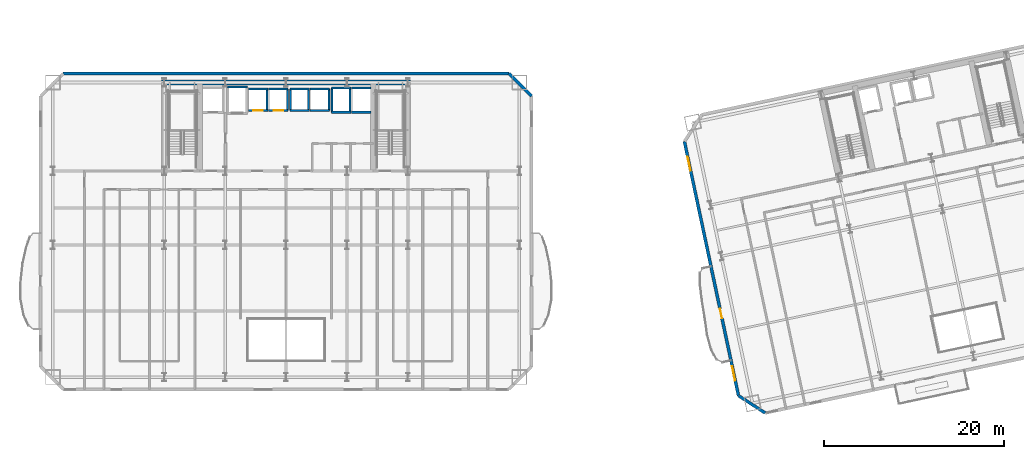
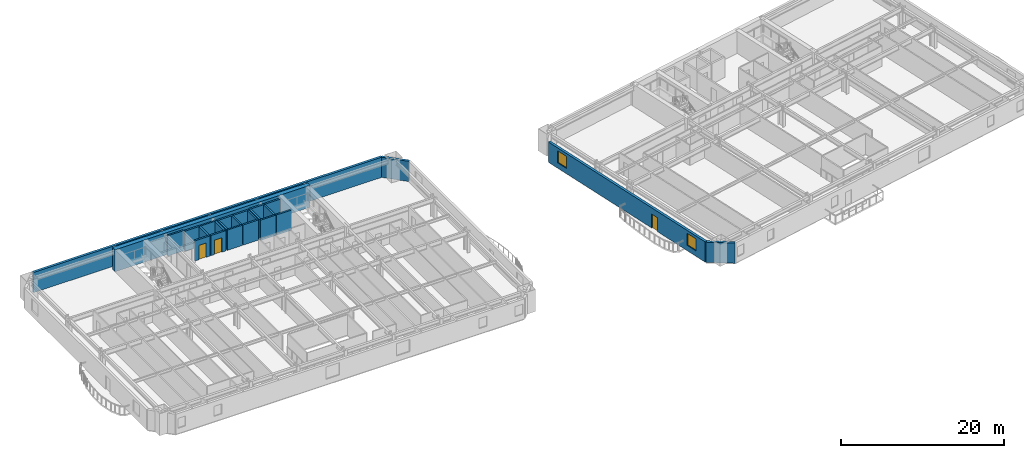
# One storey, part 7 of 17: 25 walls, 3 doors, 2 windows, 5 openings.
"""IFC4 building model written with IfcOpenShell, lengths in metres."""

from ifc_helpers import new_model, si_unit, direction, frame, frame_2d, origin, place, context, subcontext, project, spatial, rectangle, extrude, material, layer, layer_set, type_object, element, fill, save


model = new_model("IFC4")

# Units and contexts
model_context = context("Model", 3, precision=1e-05, world=origin(), true_north=direction((0.0, 1.0)))
body_context = subcontext(model_context, "Body", "Model", "MODEL_VIEW")
ifc_project = project(units=[si_unit("LENGTHUNIT", "METRE"), si_unit("AREAUNIT", "SQUARE_METRE"), si_unit("VOLUMEUNIT", "CUBIC_METRE"), si_unit("PLANEANGLEUNIT", "RADIAN"), si_unit("MASSUNIT", "GRAM", prefix="KILO")], contexts=[model_context])

# Site, building, storey
site_placement = place(None, origin())
site = spatial("IfcSite", under=ifc_project, at=site_placement, CompositionType="ELEMENT")
building_placement = place(site_placement, origin())
building = spatial("IfcBuilding", under=site, at=building_placement, Name="Haevon Station Towers", CompositionType="ELEMENT")
storey_placement = place(building_placement, frame((0.0, 0.0, 33.89990234375)))
storey = spatial("IfcBuildingStorey", under=building, at=storey_placement, Name="L07", CompositionType="ELEMENT", Elevation=33.89990234375)

# Walls
ifc_material_1 = material(Name="Concrete C60/75", Category="concrete")
ifc_layer_1 = layer(ifc_material_1, 0.60009765625)
ifc_layer_set_1 = layer_set([ifc_layer_1], Name="Concrete C60/75")
wall_type_1 = type_object("IfcWallType", Name="WL-CR600", PredefinedType="SHEAR", material=ifc_layer_set_1)
wall_1_placement = place(storey_placement, frame((23.699951171875, 48.0, 0.0), z_axis=(0.0, 0.0, 1.0), x_axis=(1.0, 0.0, 0.0)))
element("IfcWall", 1, at=wall_1_placement, inside=storey, type_object=wall_type_1, Name="WL-T1CR-L07-N", PredefinedType="SHEAR", context=body_context, shape_type="SweptSolid", body=[
    extrude(rectangle(XDim=27.60009765625, YDim=0.60009765625, at=frame_2d((13.800048828125, 0.0))), origin(), (0.0, 0.0, 1.0), 3.300048828125),
])
ifc_material_2 = material(Name="Precast concrete C45/55", Category="concrete")
ifc_layer_2 = layer(ifc_material_2, 0.340087890625)
ifc_layer_set_2 = layer_set([ifc_layer_2], Name="Precast concrete C45/55")
wall_type_2 = type_object("IfcWallType", Name="WL-EXT-PIER340", PredefinedType="SOLIDWALL", material=ifc_layer_set_2)
wall_2_placement = place(storey_placement, frame((12.800048828125, 49.0, 0.0), z_axis=(0.0, 0.0, 1.0), x_axis=(1.0, 0.0, 0.0)))
element("IfcWall", 2, at=wall_2_placement, inside=storey, type_object=wall_type_2, Name="WL-T1-L07-N", PredefinedType="SOLIDWALL", context=body_context, shape_type="SweptSolid", body=[
    extrude(rectangle(XDim=49.39990234375, YDim=0.340087890625, at=frame_2d((24.699951171875, 0.0))), origin(), (0.0, 0.0, 1.0), 3.030029296875),
])
wall_3_placement = place(storey_placement, frame((62.199951171875, 49.0, 0.0), z_axis=(0.0, 0.0, 1.0), x_axis=(0.707106781187, -0.707106781187, 0.0)))
element("IfcWall", 3, at=wall_3_placement, inside=storey, type_object=wall_type_2, Name="WL-T1-L07-NEC", PredefinedType="SOLIDWALL", context=body_context, shape_type="SweptSolid", body=[
    extrude(rectangle(XDim=3.53564453125, YDim=0.340087890625, at=frame_2d((1.767822265625, 0.0))), origin(), (0.0, 0.0, 1.0), 3.030029296875),
])
wall_4_placement = place(storey_placement, frame((90.593505859375, 11.37646484375, 0.0), z_axis=(0.0, 0.0, 1.0), x_axis=(-0.838672309694, 0.544636352948, 0.0)))
element("IfcWall", 4, at=wall_4_placement, inside=storey, type_object=wall_type_2, Name="WL-T2-L07-SWC", PredefinedType="SOLIDWALL", context=body_context, shape_type="SweptSolid", body=[
    extrude(rectangle(XDim=3.535400390625, YDim=0.340087890625, at=frame_2d((1.767578125, 0.0))), origin(), (0.0, 0.0, 1.0), 3.030029296875),
])

# Wall, openings, door, windows
wall_5_placement = place(storey_placement, frame((87.62841796875, 13.302001953125, 0.0), z_axis=(0.0, 0.0, 1.0), x_axis=(-0.207917660404, 0.97814633184, 0.0)))
wall_5 = element("IfcWall", 5, at=wall_5_placement, inside=storey, type_object=wall_type_2, Name="WL-T2-L07-W", PredefinedType="SOLIDWALL", context=body_context, shape_type="SweptSolid", body=[
    extrude(rectangle(XDim=28.800048828125, YDim=0.340087890625, at=frame_2d((14.39990234375, 0.0))), origin(), (0.0, 0.0, 1.0), 3.030029296875),
])
opening_1_placement = place(wall_5_placement, frame((8.77490234375, 0.0, 0.0)))
opening_1 = element("IfcOpeningElement", 6, at=opening_1_placement, cuts=wall_5, Name="Opening DR-T2-SCAL-L07-W", PredefinedType="OPENING", context=body_context, shape_type="SweptSolid", body=[
    extrude(rectangle(XDim=1.050048828125, YDim=2.10009765625, at=frame_2d((0.52490234375, 1.050048828125))), frame((0.0, 0.179931640625, 0.0), z_axis=(0.0, -1.0, 0.0), x_axis=(1.0, 0.0, 0.0)), (0.0, 0.0, 1.0), 0.360107421875),
])
opening_2_placement = place(wall_5_placement, frame((1.71435546875, 0.0, 0.800048828125)))
opening_2 = element("IfcOpeningElement", 7, at=opening_2_placement, cuts=wall_5, Name="Opening WN-END160", PredefinedType="OPENING", context=body_context, shape_type="SweptSolid", body=[
    extrude(rectangle(XDim=1.60009765625, YDim=1.800048828125, at=frame_2d((0.800048828125, 0.89990234375))), frame((0.0, 0.179931640625, 0.0), z_axis=(0.0, -1.0, 0.0), x_axis=(1.0, 0.0, 0.0)), (0.0, 0.0, 1.0), 0.360107421875),
])
opening_3_placement = place(wall_5_placement, frame((25.485595703125, 0.0, 0.800048828125)))
opening_3 = element("IfcOpeningElement", 8, at=opening_3_placement, cuts=wall_5, Name="Opening WN-END160", PredefinedType="OPENING", context=body_context, shape_type="SweptSolid", body=[
    extrude(rectangle(XDim=1.60009765625, YDim=1.800048828125, at=frame_2d((0.800048828125, 0.89990234375))), frame((0.0, 0.179931640625, 0.0), z_axis=(0.0, -1.0, 0.0), x_axis=(1.0, 0.0, 0.0)), (0.0, 0.0, 1.0), 0.360107421875),
])
ifc_material_3 = material(Name="Thermally broken anodised aluminium and laminated safety glass", Category="aluminium")
door_type_1 = type_object("IfcDoorType", Name="DR-BALC-1050", OperationType="NOTDEFINED", PredefinedType="DOOR", material=ifc_material_3)
door_1_placement = place(opening_1_placement, origin())
door_1 = element("IfcDoor", 9, at=door_1_placement, inside=storey, type_object=door_type_1, Name="Tower 2 L07 West Scalloped Balcony Door", OperationType="SINGLE_SWING_RIGHT", OverallHeight=2.10009765625, OverallWidth=1.050048828125, PredefinedType="DOOR", context=body_context, shape_type="SweptSolid", body=[
    extrude(rectangle(XDim=1.050048828125, YDim=2.10009765625, at=frame_2d((0.52490234375, 1.050048828125))), frame((0.0, 0.02490234375, 0.0), z_axis=(0.0, -1.0, 0.0), x_axis=(1.0, 0.0, 0.0)), (0.0, 0.0, 1.0), 0.050048828125),
])
fill(opening_1, door_1)
ifc_material_4 = material(Name="Low-E triple glazing in thermally broken aluminium", Category="aluminium")
window_type = type_object("IfcWindowType", Name="WN-END160", PartitioningType="SINGLE_PANEL", PredefinedType="WINDOW", material=ifc_material_4)
window_1_placement = place(opening_2_placement, origin())
window_1 = element("IfcWindow", 10, at=window_1_placement, inside=storey, type_object=window_type, Name="WN-T2-L07-W01", OverallHeight=1.800048828125, OverallWidth=1.60009765625, PartitioningType="SINGLE_PANEL", PredefinedType="WINDOW", context=body_context, shape_type="SweptSolid", body=[
    extrude(rectangle(XDim=1.60009765625, YDim=1.800048828125, at=frame_2d((0.800048828125, 0.89990234375))), frame((0.0, 0.030029296875, 0.0), z_axis=(0.0, -1.0, 0.0), x_axis=(1.0, 0.0, 0.0)), (0.0, 0.0, 1.0), 0.06005859375),
])
fill(opening_2, window_1)
window_2_placement = place(opening_3_placement, origin())
window_2 = element("IfcWindow", 11, at=window_2_placement, inside=storey, type_object=window_type, Name="WN-T2-L07-W02", OverallHeight=1.800048828125, OverallWidth=1.60009765625, PartitioningType="SINGLE_PANEL", PredefinedType="WINDOW", context=body_context, shape_type="SweptSolid", body=[
    extrude(rectangle(XDim=1.60009765625, YDim=1.800048828125, at=frame_2d((0.800048828125, 0.89990234375))), frame((0.0, 0.030029296875, 0.0), z_axis=(0.0, -1.0, 0.0), x_axis=(1.0, 0.0, 0.0)), (0.0, 0.0, 1.0), 0.06005859375),
])
fill(opening_3, window_2)

# Wall
ifc_material_5 = material(Name="Concrete C40/50", Category="concrete")
ifc_layer_3 = layer(ifc_material_5, 0.239990234375)
ifc_layer_set_3 = layer_set([ifc_layer_3], Name="Concrete C40/50")
wall_type_3 = type_object("IfcWallType", Name="WL-SHF240", PredefinedType="PARTITIONING", material=ifc_layer_set_3)
wall_6_placement = place(storey_placement, frame((30.969970703125, 47.5, 0.0), z_axis=(0.0, 0.0, 1.0), x_axis=(1.0, 0.0, 0.0)))
element("IfcWall", 12, at=wall_6_placement, inside=storey, type_object=wall_type_3, Name="WL-SHF-SL1-L07-N", PredefinedType="PARTITIONING", context=body_context, shape_type="SweptSolid", body=[
    extrude(rectangle(XDim=2.260009765625, YDim=0.239990234375, at=frame_2d((1.1298828125, 0.0))), origin(), (0.0, 0.0, 1.0), 3.030029296875),
])

# Wall, opening, door
wall_7_placement = place(storey_placement, frame((33.320068359375, 44.89990234375, 0.0), z_axis=(0.0, 0.0, 1.0), x_axis=(1.0, 0.0, 0.0)))
wall_7 = element("IfcWall", 13, at=wall_7_placement, inside=storey, type_object=wall_type_3, Name="WL-SHF-PL1-L07", PredefinedType="PARTITIONING", context=body_context, shape_type="SweptSolid", body=[
    extrude(rectangle(XDim=2.159912109375, YDim=0.239990234375, at=frame_2d((1.080078125, 0.0))), origin(), (0.0, 0.0, 1.0), 3.030029296875),
])
opening_4_placement = place(wall_7_placement, frame((0.554931640625, 0.0, 0.0)))
opening_4 = element("IfcOpeningElement", 14, at=opening_4_placement, cuts=wall_7, Name="Opening LD-PL1-L07", PredefinedType="OPENING", context=body_context, shape_type="SweptSolid", body=[
    extrude(rectangle(XDim=1.050048828125, YDim=2.14990234375, at=frame_2d((0.52490234375, 1.074951171875))), frame((0.0, 0.1298828125, 0.0), z_axis=(0.0, -1.0, 0.0), x_axis=(1.0, 0.0, 0.0)), (0.0, 0.0, 1.0), 0.260009765625),
])
ifc_material_6 = material(Name="Stainless steel and rated core", Category="steel")
door_type_2 = type_object("IfcDoorType", Name="LD-PL1050", OperationType="SLIDING_TO_LEFT", PredefinedType="DOOR", material=ifc_material_6)
door_2_placement = place(opening_4_placement, origin())
door_2 = element("IfcDoor", 15, at=door_2_placement, inside=storey, type_object=door_type_2, Name="L07 Lift PL1 Sliding Landing Door", OperationType="SLIDING_TO_LEFT", OverallHeight=2.14990234375, OverallWidth=1.050048828125, PredefinedType="DOOR", context=body_context, shape_type="SweptSolid", body=[
    extrude(rectangle(XDim=1.050048828125, YDim=2.14990234375, at=frame_2d((0.52490234375, 1.074951171875))), frame((0.0, 0.02490234375, 0.0), z_axis=(0.0, -1.0, 0.0), x_axis=(1.0, 0.0, 0.0)), (0.0, 0.0, 1.0), 0.050048828125),
])
fill(opening_4, door_2)

# Walls
wall_8_placement = place(storey_placement, frame((33.320068359375, 47.300048828125, 0.0), z_axis=(0.0, 0.0, 1.0), x_axis=(1.0, 0.0, 0.0)))
element("IfcWall", 16, at=wall_8_placement, inside=storey, type_object=wall_type_3, Name="WL-SHF-PL1-L07-N", PredefinedType="PARTITIONING", context=body_context, shape_type="SweptSolid", body=[
    extrude(rectangle(XDim=2.159912109375, YDim=0.239990234375, at=frame_2d((1.080078125, 0.0))), origin(), (0.0, 0.0, 1.0), 3.030029296875),
])
wall_9_placement = place(storey_placement, frame((35.39990234375, 44.89990234375, 0.0), z_axis=(0.0, 0.0, 1.0), x_axis=(0.0, 1.0, 0.0)))
element("IfcWall", 17, at=wall_9_placement, inside=storey, type_object=wall_type_3, Name="WL-SHF-PL1-L07-E", PredefinedType="PARTITIONING", context=body_context, shape_type="SweptSolid", body=[
    extrude(rectangle(XDim=2.400146484375, YDim=0.239990234375, at=frame_2d((1.2001953125, 0.0))), origin(), (0.0, 0.0, 1.0), 3.030029296875),
])

# Wall, opening, door
wall_10_placement = place(storey_placement, frame((35.570068359375, 44.89990234375, 0.0), z_axis=(0.0, 0.0, 1.0), x_axis=(1.0, 0.0, 0.0)))
wall_10 = element("IfcWall", 18, at=wall_10_placement, inside=storey, type_object=wall_type_3, Name="WL-SHF-PL2-L07", PredefinedType="PARTITIONING", context=body_context, shape_type="SweptSolid", body=[
    extrude(rectangle(XDim=2.159912109375, YDim=0.239990234375, at=frame_2d((1.080078125, 0.0))), origin(), (0.0, 0.0, 1.0), 3.030029296875),
])
opening_5_placement = place(wall_10_placement, frame((0.554931640625, 0.0, 0.0)))
opening_5 = element("IfcOpeningElement", 19, at=opening_5_placement, cuts=wall_10, Name="Opening LD-PL2-L07", PredefinedType="OPENING", context=body_context, shape_type="SweptSolid", body=[
    extrude(rectangle(XDim=1.050048828125, YDim=2.14990234375, at=frame_2d((0.52490234375, 1.074951171875))), frame((0.0, 0.1298828125, 0.0), z_axis=(0.0, -1.0, 0.0), x_axis=(1.0, 0.0, 0.0)), (0.0, 0.0, 1.0), 0.260009765625),
])
door_3_placement = place(opening_5_placement, origin())
door_3 = element("IfcDoor", 20, at=door_3_placement, inside=storey, type_object=door_type_2, Name="L07 Lift PL2 Sliding Landing Door", OperationType="SLIDING_TO_LEFT", OverallHeight=2.14990234375, OverallWidth=1.050048828125, PredefinedType="DOOR", context=body_context, shape_type="SweptSolid", body=[
    extrude(rectangle(XDim=1.050048828125, YDim=2.14990234375, at=frame_2d((0.52490234375, 1.074951171875))), frame((0.0, 0.02490234375, 0.0), z_axis=(0.0, -1.0, 0.0), x_axis=(1.0, 0.0, 0.0)), (0.0, 0.0, 1.0), 0.050048828125),
])
fill(opening_5, door_3)

# Walls
wall_11_placement = place(storey_placement, frame((35.570068359375, 47.300048828125, 0.0), z_axis=(0.0, 0.0, 1.0), x_axis=(1.0, 0.0, 0.0)))
element("IfcWall", 21, at=wall_11_placement, inside=storey, type_object=wall_type_3, Name="WL-SHF-PL2-L07-N", PredefinedType="PARTITIONING", context=body_context, shape_type="SweptSolid", body=[
    extrude(rectangle(XDim=2.159912109375, YDim=0.239990234375, at=frame_2d((1.080078125, 0.0))), origin(), (0.0, 0.0, 1.0), 3.030029296875),
])
wall_12_placement = place(storey_placement, frame((37.64990234375, 44.89990234375, 0.0), z_axis=(0.0, 0.0, 1.0), x_axis=(0.0, 1.0, 0.0)))
element("IfcWall", 22, at=wall_12_placement, inside=storey, type_object=wall_type_3, Name="WL-SHF-PL2-L07-E", PredefinedType="PARTITIONING", context=body_context, shape_type="SweptSolid", body=[
    extrude(rectangle(XDim=2.400146484375, YDim=0.239990234375, at=frame_2d((1.2001953125, 0.0))), origin(), (0.0, 0.0, 1.0), 3.030029296875),
])
for number, where, z_axis, x_axis, name in (
    (23, (37.919921875, 44.89990234375, 0.0), (0.0, 0.0, 1.0), (1.0, 0.0, 0.0), "WL-SHF-PL3-L07"),
    (24, (37.919921875, 47.300048828125, 0.0), (0.0, 0.0, 1.0), (1.0, 0.0, 0.0), "WL-SHF-PL3-L07-N"),
):
    element("IfcWall", number, at=place(storey_placement, frame(where, z_axis=z_axis, x_axis=x_axis)), inside=storey, type_object=wall_type_3, Name=name, PredefinedType="PARTITIONING", context=body_context, shape_type="SweptSolid", body=[
        extrude(rectangle(XDim=2.16015625, YDim=0.239990234375, at=frame_2d((1.080078125, 0.0))), origin(), (0.0, 0.0, 1.0), 3.030029296875),
    ])
for number, where, z_axis, x_axis, name in (
    (25, (38.0, 44.89990234375, 0.0), (0.0, 0.0, 1.0), (0.0, 1.0, 0.0), "WL-SHF-PL3-L07-W"),
    (26, (40.0, 44.89990234375, 0.0), (0.0, 0.0, 1.0), (0.0, 1.0, 0.0), "WL-SHF-PL3-L07-E"),
):
    element("IfcWall", number, at=place(storey_placement, frame(where, z_axis=z_axis, x_axis=x_axis)), inside=storey, type_object=wall_type_3, Name=name, PredefinedType="PARTITIONING", context=body_context, shape_type="SweptSolid", body=[
        extrude(rectangle(XDim=2.400146484375, YDim=0.239990234375, at=frame_2d((1.2001953125, 0.0))), origin(), (0.0, 0.0, 1.0), 3.030029296875),
    ])
for number, where, z_axis, x_axis, name in (
    (27, (40.169921875, 44.89990234375, 0.0), (0.0, 0.0, 1.0), (1.0, 0.0, 0.0), "WL-SHF-PL4-L07"),
    (28, (40.169921875, 47.300048828125, 0.0), (0.0, 0.0, 1.0), (1.0, 0.0, 0.0), "WL-SHF-PL4-L07-N"),
):
    element("IfcWall", number, at=place(storey_placement, frame(where, z_axis=z_axis, x_axis=x_axis)), inside=storey, type_object=wall_type_3, Name=name, PredefinedType="PARTITIONING", context=body_context, shape_type="SweptSolid", body=[
        extrude(rectangle(XDim=2.16015625, YDim=0.239990234375, at=frame_2d((1.080078125, 0.0))), origin(), (0.0, 0.0, 1.0), 3.030029296875),
    ])
wall_13_placement = place(storey_placement, frame((42.25, 44.89990234375, 0.0), z_axis=(0.0, 0.0, 1.0), x_axis=(0.0, 1.0, 0.0)))
element("IfcWall", 29, at=wall_13_placement, inside=storey, type_object=wall_type_3, Name="WL-SHF-PL4-L07-E", PredefinedType="PARTITIONING", context=body_context, shape_type="SweptSolid", body=[
    extrude(rectangle(XDim=2.400146484375, YDim=0.239990234375, at=frame_2d((1.2001953125, 0.0))), origin(), (0.0, 0.0, 1.0), 3.030029296875),
])
for number, where, z_axis, x_axis, name in (
    (30, (42.52001953125, 44.699951171875, 0.0), (0.0, 0.0, 1.0), (1.0, 0.0, 0.0), "WL-SHF-PL5-L07"),
    (31, (42.52001953125, 47.39990234375, 0.0), (0.0, 0.0, 1.0), (1.0, 0.0, 0.0), "WL-SHF-PL5-L07-N"),
):
    element("IfcWall", number, at=place(storey_placement, frame(where, z_axis=z_axis, x_axis=x_axis)), inside=storey, type_object=wall_type_3, Name=name, PredefinedType="PARTITIONING", context=body_context, shape_type="SweptSolid", body=[
        extrude(rectangle(XDim=2.159912109375, YDim=0.239990234375, at=frame_2d((1.080078125, 0.0))), origin(), (0.0, 0.0, 1.0), 3.030029296875),
    ])
for number, where, z_axis, x_axis, name in (
    (32, (42.60009765625, 44.699951171875, 0.0), (0.0, 0.0, 1.0), (0.0, 1.0, 0.0), "WL-SHF-PL5-L07-W"),
    (33, (44.60009765625, 44.699951171875, 0.0), (0.0, 0.0, 1.0), (0.0, 1.0, 0.0), "WL-SHF-PL5-L07-E"),
):
    element("IfcWall", number, at=place(storey_placement, frame(where, z_axis=z_axis, x_axis=x_axis)), inside=storey, type_object=wall_type_3, Name=name, PredefinedType="PARTITIONING", context=body_context, shape_type="SweptSolid", body=[
        extrude(rectangle(XDim=2.699951171875, YDim=0.239990234375, at=frame_2d((1.35009765625, 0.0))), origin(), (0.0, 0.0, 1.0), 3.030029296875),
    ])
for number, where, z_axis, x_axis, name in (
    (34, (44.77001953125, 44.699951171875, 0.0), (0.0, 0.0, 1.0), (1.0, 0.0, 0.0), "WL-SHF-PL6-L07"),
    (35, (44.77001953125, 47.39990234375, 0.0), (0.0, 0.0, 1.0), (1.0, 0.0, 0.0), "WL-SHF-PL6-L07-N"),
):
    element("IfcWall", number, at=place(storey_placement, frame(where, z_axis=z_axis, x_axis=x_axis)), inside=storey, type_object=wall_type_3, Name=name, PredefinedType="PARTITIONING", context=body_context, shape_type="SweptSolid", body=[
        extrude(rectangle(XDim=2.159912109375, YDim=0.239990234375, at=frame_2d((1.080078125, 0.0))), origin(), (0.0, 0.0, 1.0), 3.030029296875),
    ])

save(model, "model.ifc")
